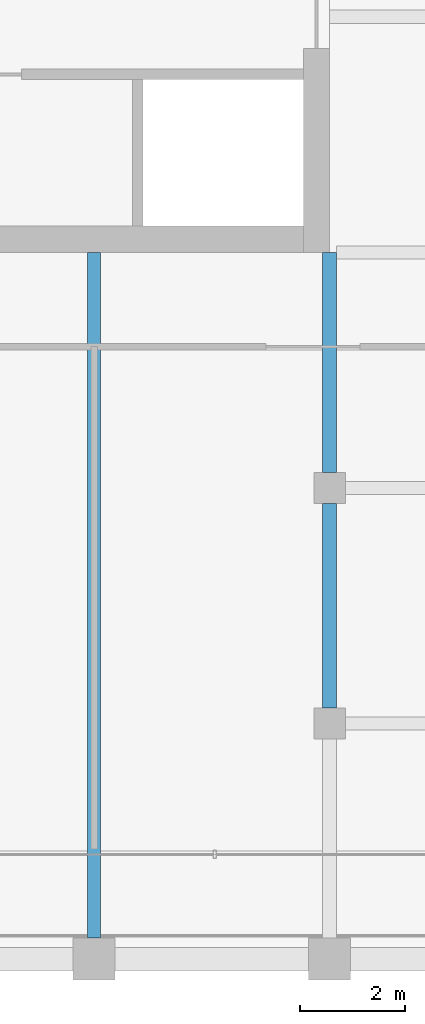
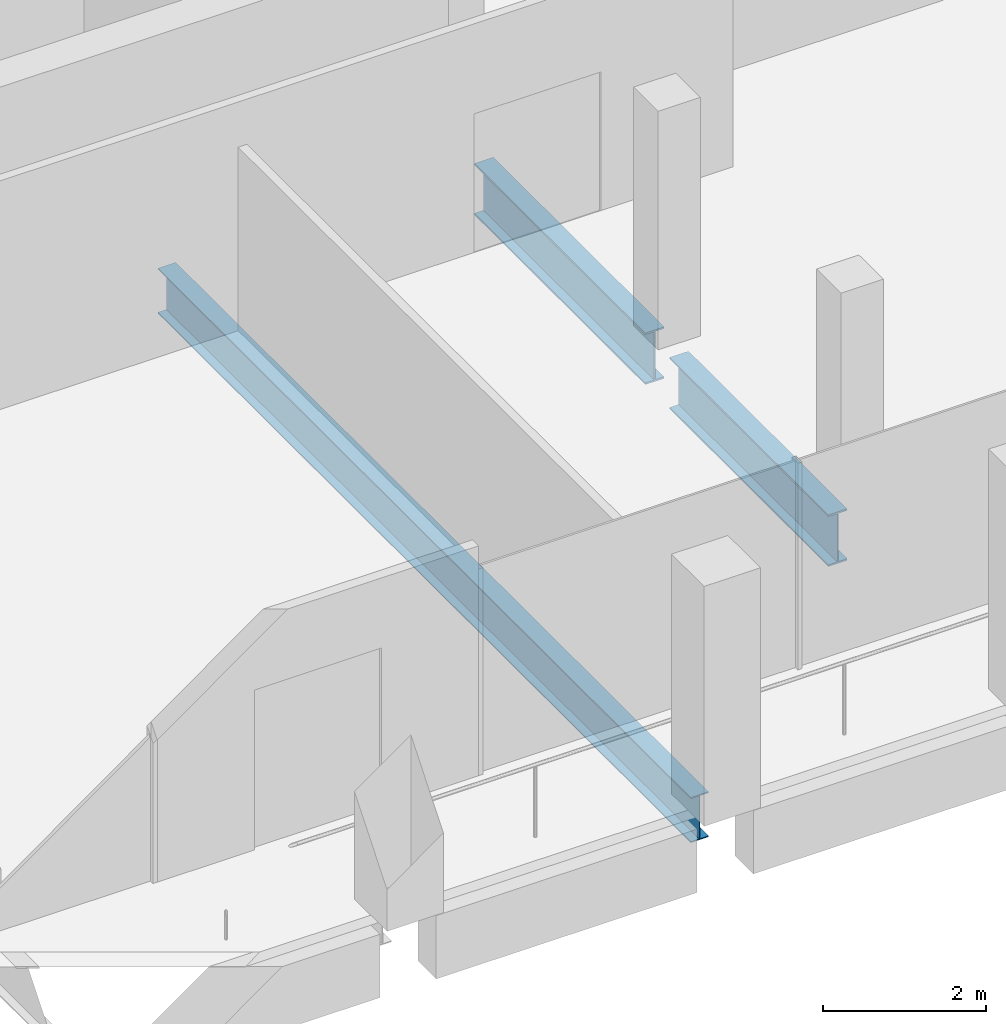
# One storey, part 10 of 30: 3 beams.
"""IFC4 building model written with IfcOpenShell, lengths in metres."""

from ifc_helpers import new_model, si_unit, direction, frame, origin, origin_2d, place, context, subcontext, project, spatial, i_section, extrude, material, material_profile, profile_set, type_object, element, save


model = new_model("IFC4")

# Units and contexts
model_context = context("Model", 3, precision=1e-05, world=origin(), true_north=direction((0.0, 1.0)))
body_context = subcontext(model_context, "Body", "Model", "MODEL_VIEW")
ifc_project = project(units=[si_unit("LENGTHUNIT", "METRE"), si_unit("AREAUNIT", "SQUARE_METRE"), si_unit("VOLUMEUNIT", "CUBIC_METRE"), si_unit("PLANEANGLEUNIT", "RADIAN"), si_unit("MASSUNIT", "GRAM", prefix="KILO")], contexts=[model_context])

# Site, building, storey
site_placement = place(None, origin())
site = spatial("IfcSite", under=ifc_project, at=site_placement, CompositionType="ELEMENT")
building_placement = place(site_placement, origin())
building = spatial("IfcBuilding", under=site, at=building_placement, Name="Altepetl Exchange Towers", CompositionType="ELEMENT")
storey_placement = place(building_placement, frame((0.0, 0.0, 238.800048828125)))
storey = spatial("IfcBuildingStorey", under=building, at=storey_placement, Name="L61", CompositionType="ELEMENT", Elevation=238.800048828125)

# Beams
ifc_material = material(Name="Steel S355", Category="steel")
ifc_material_profile_1 = material_profile(ifc_material, i_section(OverallWidth=0.2529296875, OverallDepth=0.677978515625, WebThickness=0.01171875, FlangeThickness=0.016357421875, at=origin_2d()), Name="W27X84")
ifc_profile_set_1 = profile_set([ifc_material_profile_1], Name="Steel S355")
beam_type_1 = type_object("IfcBeamType", Name="Floor beam W27X84", PredefinedType="BEAM", material=ifc_profile_set_1)
beam_1_placement = place(storey_placement, frame((54.0, 27.39990234375, -0.489013671875), z_axis=(0.0, 1.0, 0.0), x_axis=(-1.0, 0.0, 0.0)))
element("IfcBeam", 1, at=beam_1_placement, inside=storey, type_object=beam_type_1, Name="bm:A:L61:017", PredefinedType="BEAM", context=body_context, shape_type="SweptSolid", body=[
    extrude(i_section(OverallWidth=0.2529296875, OverallDepth=0.677978515625, WebThickness=0.01171875, FlangeThickness=0.016357421875, at=origin_2d()), origin(), (0.0, 0.0, 1.0), 13.10009765625),
])
ifc_material_profile_2 = material_profile(ifc_material, i_section(OverallWidth=0.26806640625, OverallDepth=0.77392578125, WebThickness=0.015380859375, FlangeThickness=0.025390625, at=origin_2d()), Name="W30X132")
ifc_profile_set_2 = profile_set([ifc_material_profile_2], Name="Steel S355")
beam_type_2 = type_object("IfcBeamType", Name="Girder W30X132", PredefinedType="BEAM", material=ifc_profile_set_2)
beam_2_placement = place(storey_placement, frame((58.5, 40.5, -0.537109375), z_axis=(0.0, -1.0, 0.0), x_axis=(1.0, 0.0, 0.0)))
element("IfcBeam", 2, at=beam_2_placement, inside=storey, type_object=beam_type_2, Name="gd:A:L61:003", PredefinedType="BEAM", context=body_context, shape_type="SweptSolid", body=[
    extrude(i_section(OverallWidth=0.26806640625, OverallDepth=0.77392578125, WebThickness=0.015380859375, FlangeThickness=0.025390625, at=origin_2d()), origin(), (0.0, 0.0, 1.0), 4.199951171875),
])
beam_3_placement = place(storey_placement, frame((58.5, 35.699951171875, -0.537109375), z_axis=(0.0, -1.0, 0.0), x_axis=(1.0, 0.0, 0.0)))
element("IfcBeam", 3, at=beam_3_placement, inside=storey, type_object=beam_type_2, Name="gd:A:L61:004", PredefinedType="BEAM", context=body_context, shape_type="SweptSolid", body=[
    extrude(i_section(OverallWidth=0.26806640625, OverallDepth=0.77392578125, WebThickness=0.015380859375, FlangeThickness=0.025390625, at=origin_2d()), origin(), (0.0, 0.0, 1.0), 3.89990234375),
])

save(model, "model.ifc")
